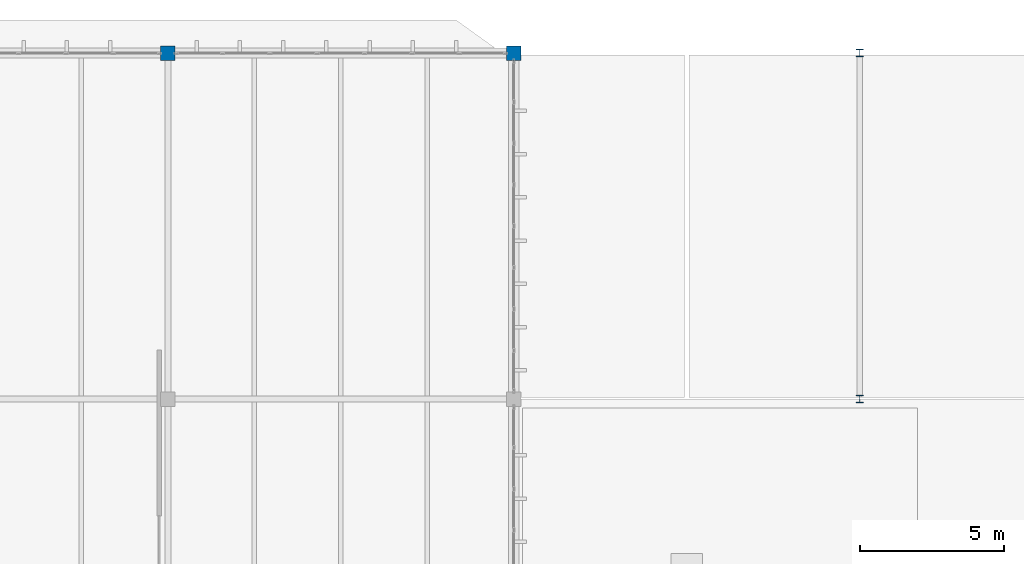
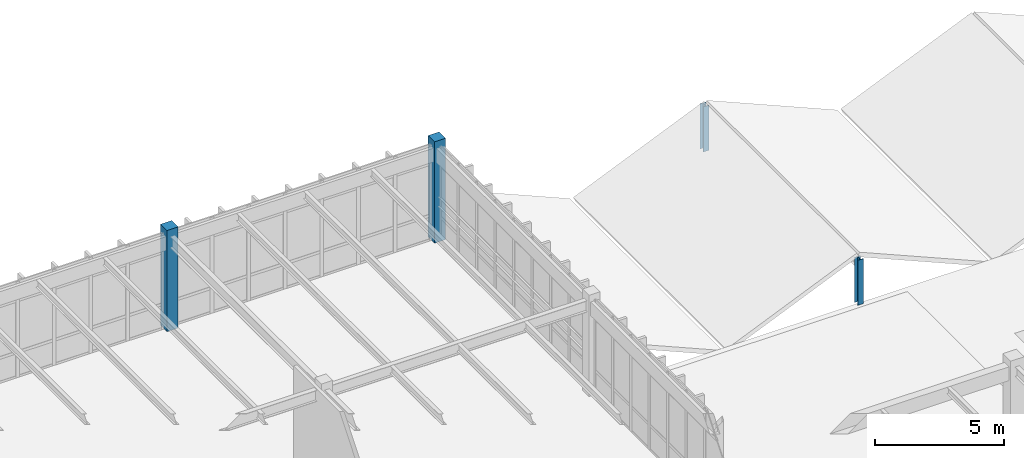
# One storey, part 7 of 236: 4 columns.
"""IFC4 building model written with IfcOpenShell, lengths in metres."""

from ifc_helpers import new_model, si_unit, direction, frame, origin, origin_2d, place, context, subcontext, project, spatial, rectangle, i_section, extrude, material, material_profile, profile_set, type_object, element, save


model = new_model("IFC4")

# Units and contexts
model_context = context("Model", 3, precision=1e-05, world=origin(), true_north=direction((0.0, 1.0)))
body_context = subcontext(model_context, "Body", "Model", "MODEL_VIEW")
ifc_project = project(units=[si_unit("LENGTHUNIT", "METRE"), si_unit("AREAUNIT", "SQUARE_METRE"), si_unit("VOLUMEUNIT", "CUBIC_METRE"), si_unit("PLANEANGLEUNIT", "RADIAN"), si_unit("MASSUNIT", "GRAM", prefix="KILO")], contexts=[model_context])

# Site, building, storey
site_placement = place(None, origin())
site = spatial("IfcSite", under=ifc_project, at=site_placement, CompositionType="ELEMENT")
building_placement = place(site_placement, origin())
building = spatial("IfcBuilding", under=site, at=building_placement, Name="Pandanus Reach Market Hall", CompositionType="ELEMENT")
storey_placement = place(building_placement, frame((0.0, 0.0, 5.39990234375)))
storey = spatial("IfcBuildingStorey", under=building, at=storey_placement, Name="L01", CompositionType="ELEMENT", Elevation=5.39990234375)

# Columns
ifc_material_1 = material(Name="Concrete N40 (40 MPa)", Category="concrete")
ifc_material_profile_1 = material_profile(ifc_material_1, rectangle(XDim=0.5, YDim=0.5, at=origin_2d()), Name="RC500x500", Category="LoadBearing")
ifc_profile_set_1 = profile_set([ifc_material_profile_1], Name="Concrete N40 (40 MPa)")
column_type_1 = type_object("IfcColumnType", Name="CL-RC500-E", PredefinedType="COLUMN", material=ifc_profile_set_1)
for number, where, z_axis, x_axis, name in (
    (1, (132.0, 120.0, 0.0), (0.0, 0.0, 1.0), (1.0, 0.0, 0.0), "Column CL-RC500-E V5-132-1200 L01"),
    (2, (144.0, 120.0, 0.0), (0.0, 0.0, 1.0), (1.0, 0.0, 0.0), "Column CL-RC500-E V5-144-1200 L01"),
):
    element("IfcColumn", number, at=place(storey_placement, frame(where, z_axis=z_axis, x_axis=x_axis)), inside=storey, type_object=column_type_1, Name=name, PredefinedType="COLUMN", context=body_context, shape_type="SweptSolid", body=[
        extrude(rectangle(XDim=0.5, YDim=0.5, at=origin_2d()), origin(), (0.0, 0.0, 1.0), 4.800048828125),
    ])
ifc_material_2 = material(Name="Steel Grade 350 (350 MPa)", Category="steel")
ifc_material_profile_2 = material_profile(ifc_material_2, i_section(OverallWidth=0.25390625, OverallDepth=0.25390625, WebThickness=0.008544921875, FlangeThickness=0.01416015625, at=origin_2d()), Name="250UC72.9", Category="LoadBearing")
ifc_profile_set_2 = profile_set([ifc_material_profile_2], Name="Steel Grade 350 (350 MPa)")
column_type_2 = type_object("IfcColumnType", Name="CL-UC250-I", PredefinedType="COLUMN", material=ifc_profile_set_2)
for number, where, z_axis, x_axis, name in (
    (3, (156.0, 108.0, 0.0), (0.0, 0.0, 1.0), (1.0, 0.0, 0.0), "Butterfly shell ridge support post L01.35"),
    (4, (156.0, 120.0, 0.0), (0.0, 0.0, 1.0), (1.0, 0.0, 0.0), "Butterfly shell ridge support post L01.36"),
):
    element("IfcColumn", number, at=place(storey_placement, frame(where, z_axis=z_axis, x_axis=x_axis)), inside=storey, type_object=column_type_2, Name=name, PredefinedType="COLUMN", context=body_context, shape_type="SweptSolid", body=[
        extrude(i_section(OverallWidth=0.25390625, OverallDepth=0.25390625, WebThickness=0.008544921875, FlangeThickness=0.01416015625, at=origin_2d()), origin(), (0.0, 0.0, 1.0), 2.14013671875),
    ])

save(model, "model.ifc")
